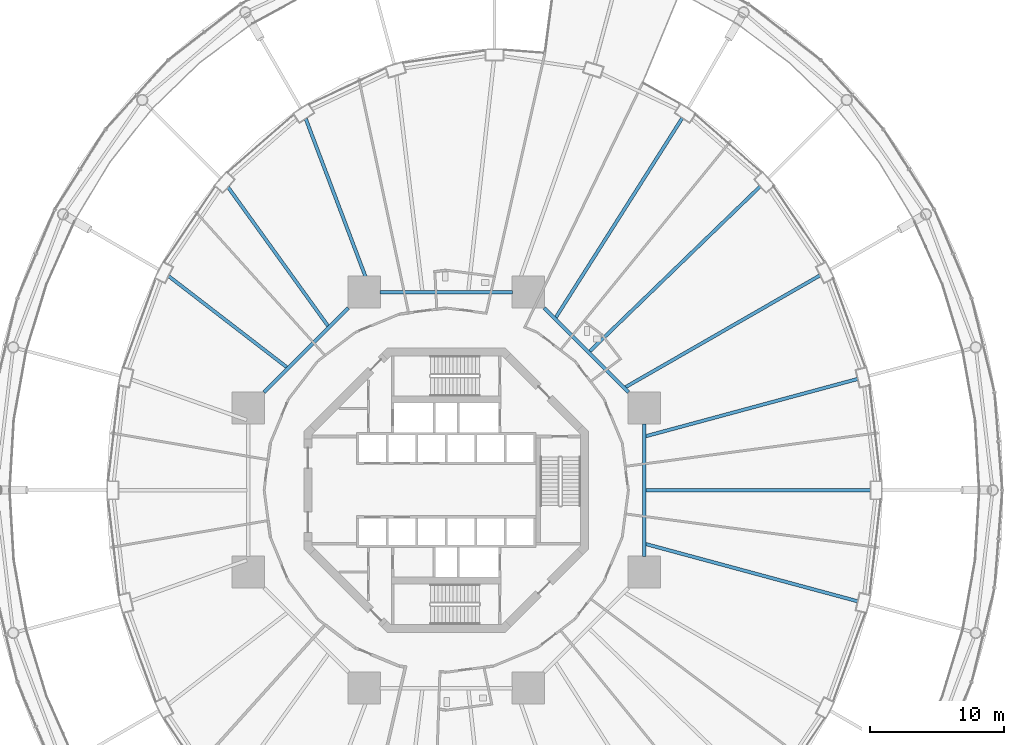
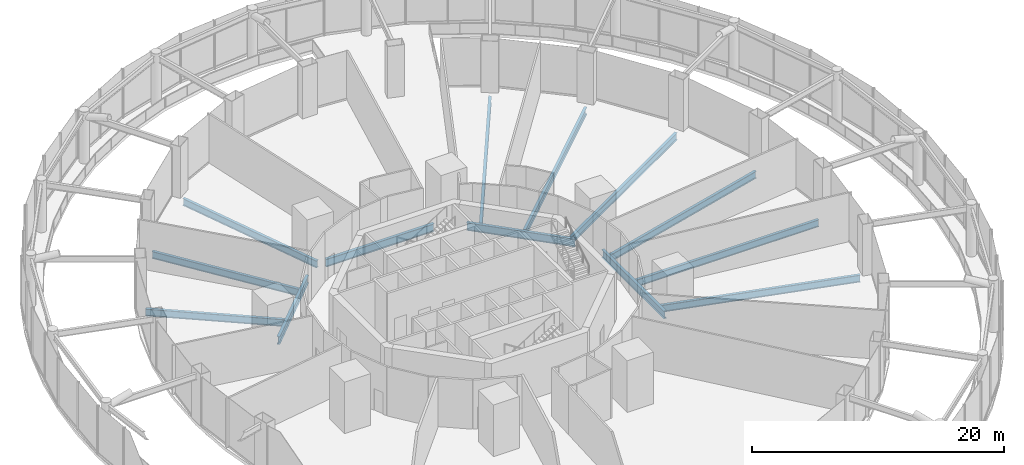
# One storey, part 24 of 52: 13 beams.
"""IFC4 building model written with IfcOpenShell, lengths in metres."""

from ifc_helpers import new_model, si_unit, direction, frame, origin, origin_2d, place, context, subcontext, project, spatial, i_section, extrude, material, material_profile, profile_set, type_object, element, save


model = new_model("IFC4")

# Units and contexts
model_context = context("Model", 3, precision=1e-05, world=origin(), true_north=direction((0.0, 1.0)))
body_context = subcontext(model_context, "Body", "Model", "MODEL_VIEW")
ifc_project = project(units=[si_unit("LENGTHUNIT", "METRE"), si_unit("AREAUNIT", "SQUARE_METRE"), si_unit("VOLUMEUNIT", "CUBIC_METRE"), si_unit("PLANEANGLEUNIT", "RADIAN"), si_unit("MASSUNIT", "GRAM", prefix="KILO")], contexts=[model_context])

# Site, building, storey
site_placement = place(None, origin())
site = spatial("IfcSite", under=ifc_project, at=site_placement, CompositionType="ELEMENT")
building_placement = place(site_placement, origin())
building = spatial("IfcBuilding", under=site, at=building_placement, Name="Nagisa Residences", CompositionType="ELEMENT")
storey_placement = place(building_placement, frame((0.0, 0.0, 22.0)))
storey = spatial("IfcBuildingStorey", under=building, at=storey_placement, Name="L04", CompositionType="ELEMENT", Elevation=22.0)

# Beams
ifc_material_1 = material(Name="Steel ASTM A572 Gr 50", Category="steel")
ifc_material_profile_1 = material_profile(ifc_material_1, i_section(OverallWidth=0.264892578125, OverallDepth=0.7529296875, WebThickness=0.01318359375, FlangeThickness=0.01708984375, at=origin_2d()), Name="W760x147")
ifc_profile_set_1 = profile_set([ifc_material_profile_1], Name="Steel ASTM A572 Gr 50")
beam_type_1 = type_object("IfcBeamType", Name="Inner ring beam W760x147", PredefinedType="BEAM", material=ifc_profile_set_1)
beam_1_placement = place(storey_placement, frame((13.59619140625, 7.308837890625, -0.676513671875), z_axis=(-0.707106781187, 0.707106781187, 0.0), x_axis=(-0.707106781187, -0.707106781187, 0.0)))
element("IfcBeam", 1, at=beam_1_placement, inside=storey, type_object=beam_type_1, Name="beam:L04:ib1", PredefinedType="BEAM", context=body_context, shape_type="SweptSolid", body=[
    extrude(i_section(OverallWidth=0.264892578125, OverallDepth=0.7529296875, WebThickness=0.01318359375, FlangeThickness=0.01708984375, at=origin_2d()), origin(), (0.0, 0.0, 1.0), 8.8916015625),
])
beam_2_placement = place(storey_placement, frame((4.94287109375, 14.781982421875, -0.676513671875), z_axis=(-1.0, 0.0, 0.0), x_axis=(0.0, -1.0, 0.0)))
element("IfcBeam", 2, at=beam_2_placement, inside=storey, type_object=beam_type_1, Name="beam:L04:ib2", PredefinedType="BEAM", context=body_context, shape_type="SweptSolid", body=[
    extrude(i_section(OverallWidth=0.264892578125, OverallDepth=0.7529296875, WebThickness=0.01318359375, FlangeThickness=0.01708984375, at=origin_2d()), origin(), (0.0, 0.0, 1.0), 9.8857421875),
])
beam_3_placement = place(storey_placement, frame((-7.308837890625, 13.59619140625, -0.676513671875), z_axis=(-0.707106781187, -0.707106781187, 0.0), x_axis=(0.707106781187, -0.707106781187, 0.0)))
element("IfcBeam", 3, at=beam_3_placement, inside=storey, type_object=beam_type_1, Name="beam:L04:ib3", PredefinedType="BEAM", context=body_context, shape_type="SweptSolid", body=[
    extrude(i_section(OverallWidth=0.264892578125, OverallDepth=0.7529296875, WebThickness=0.01318359375, FlangeThickness=0.01708984375, at=origin_2d()), origin(), (0.0, 0.0, 1.0), 8.8916015625),
])
beam_4_placement = place(storey_placement, frame((14.781982421875, -4.94287109375, -0.676513671875), z_axis=(0.0, 1.0, 0.0), x_axis=(-1.0, 0.0, 0.0)))
element("IfcBeam", 4, at=beam_4_placement, inside=storey, type_object=beam_type_1, Name="beam:L04:ib8", PredefinedType="BEAM", context=body_context, shape_type="SweptSolid", body=[
    extrude(i_section(OverallWidth=0.264892578125, OverallDepth=0.7529296875, WebThickness=0.01318359375, FlangeThickness=0.01708984375, at=origin_2d()), origin(), (0.0, 0.0, 1.0), 9.8857421875),
])
ifc_material_2 = material(Name="Steel ASTM A572 Gr 50", Category="steel")
ifc_material_profile_2 = material_profile(ifc_material_2, i_section(OverallWidth=0.25390625, OverallDepth=0.68408203125, WebThickness=0.012451171875, FlangeThickness=0.018798828125, at=origin_2d()), Name="W690x140")
ifc_profile_set_2 = profile_set([ifc_material_profile_2], Name="Steel ASTM A572 Gr 50")
beam_type_2 = type_object("IfcBeamType", Name="Radial beam W690x140", PredefinedType="BEAM", material=ifc_profile_set_2)
beam_5_placement = place(storey_placement, frame((31.669921875, 0.0, -0.64208984375), z_axis=(-1.0, 0.0, 0.0), x_axis=(0.0, -1.0, 0.0)))
element("IfcBeam", 5, at=beam_5_placement, inside=storey, type_object=beam_type_2, Name="beam:L04:rb01", PredefinedType="BEAM", context=body_context, shape_type="SweptSolid", body=[
    extrude(i_section(OverallWidth=0.25390625, OverallDepth=0.68408203125, WebThickness=0.012451171875, FlangeThickness=0.018798828125, at=origin_2d()), origin(), (0.0, 0.0, 1.0), 16.775390625),
])
beam_6_placement = place(storey_placement, frame((30.713623046875, 8.29931640625, -0.64208984375), z_axis=(-0.965375968847, -0.260862490162, 0.0), x_axis=(0.260862490162, -0.965375968847, 0.0)))
element("IfcBeam", 6, at=beam_6_placement, inside=storey, type_object=beam_type_2, Name="beam:L04:rb02", PredefinedType="BEAM", context=body_context, shape_type="SweptSolid", body=[
    extrude(i_section(OverallWidth=0.25390625, OverallDepth=0.68408203125, WebThickness=0.012451171875, FlangeThickness=0.018798828125, at=origin_2d()), origin(), (0.0, 0.0, 1.0), 16.3857421875),
])
beam_7_placement = place(storey_placement, frame((27.908447265625, 16.035400390625, -0.64208984375), z_axis=(-0.867068052258, -0.498189715623, 0.0), x_axis=(0.498189715623, -0.867068052258, 0.0)))
element("IfcBeam", 7, at=beam_7_placement, inside=storey, type_object=beam_type_2, Name="beam:L04:rb03", PredefinedType="BEAM", context=body_context, shape_type="SweptSolid", body=[
    extrude(i_section(OverallWidth=0.25390625, OverallDepth=0.68408203125, WebThickness=0.012451171875, FlangeThickness=0.018798828125, at=origin_2d()), origin(), (0.0, 0.0, 1.0), 16.758056640625),
])
beam_8_placement = place(storey_placement, frame((23.443115234375, 22.681640625, -0.64208984375), z_axis=(-0.718678305776, -0.695342716081, 0.0), x_axis=(0.695342716081, -0.718678305776, 0.0)))
element("IfcBeam", 8, at=beam_8_placement, inside=storey, type_object=beam_type_2, Name="beam:L04:rb04", PredefinedType="BEAM", context=body_context, shape_type="SweptSolid", body=[
    extrude(i_section(OverallWidth=0.25390625, OverallDepth=0.68408203125, WebThickness=0.012451171875, FlangeThickness=0.018798828125, at=origin_2d()), origin(), (0.0, 0.0, 1.0), 17.722900390625),
])
beam_9_placement = place(storey_placement, frame((17.61962890625, 27.78271484375, -0.64208984375), z_axis=(-0.53556610664, -0.844493306911, 0.0), x_axis=(0.844493306911, -0.53556610664, 0.0)))
element("IfcBeam", 9, at=beam_9_placement, inside=storey, type_object=beam_type_2, Name="beam:L04:rb05", PredefinedType="BEAM", context=body_context, shape_type="SweptSolid", body=[
    extrude(i_section(OverallWidth=0.25390625, OverallDepth=0.68408203125, WebThickness=0.012451171875, FlangeThickness=0.018798828125, at=origin_2d()), origin(), (0.0, 0.0, 1.0), 17.63525390625),
])
beam_10_placement = place(storey_placement, frame((-10.493896484375, 27.7333984375, -0.64208984375), z_axis=(0.353887892206, -0.935287848606, 0.0), x_axis=(0.935287848606, 0.353887892206, 0.0)))
element("IfcBeam", 10, at=beam_10_placement, inside=storey, type_object=beam_type_2, Name="beam:L04:rb09", PredefinedType="BEAM", context=body_context, shape_type="SweptSolid", body=[
    extrude(i_section(OverallWidth=0.25390625, OverallDepth=0.68408203125, WebThickness=0.012451171875, FlangeThickness=0.018798828125, at=origin_2d()), origin(), (0.0, 0.0, 1.0), 13.725830078125),
])
beam_11_placement = place(storey_placement, frame((-16.29443359375, 22.62255859375, -0.64208984375), z_axis=(0.58445507622, -0.811426068031, 0.0), x_axis=(0.811426068031, 0.58445507622, 0.0)))
element("IfcBeam", 11, at=beam_11_placement, inside=storey, type_object=beam_type_2, Name="beam:L04:rb10", PredefinedType="BEAM", context=body_context, shape_type="SweptSolid", body=[
    extrude(i_section(OverallWidth=0.25390625, OverallDepth=0.68408203125, WebThickness=0.012451171875, FlangeThickness=0.018798828125, at=origin_2d()), origin(), (0.0, 0.0, 1.0), 12.78955078125),
])
beam_12_placement = place(storey_placement, frame((-20.73486328125, 15.982666015625, -0.64208984375), z_axis=(0.792016146736, -0.610500141941, 0.0), x_axis=(0.610500141941, 0.792016146736, 0.0)))
element("IfcBeam", 12, at=beam_12_placement, inside=storey, type_object=beam_type_2, Name="beam:L04:rb11", PredefinedType="BEAM", context=body_context, shape_type="SweptSolid", body=[
    extrude(i_section(OverallWidth=0.25390625, OverallDepth=0.68408203125, WebThickness=0.012451171875, FlangeThickness=0.018798828125, at=origin_2d()), origin(), (0.0, 0.0, 1.0), 11.160888671875),
])
beam_13_placement = place(storey_placement, frame((30.713623046875, -8.29931640625, -0.64208984375), z_axis=(-0.965375968847, 0.260862490162, 0.0), x_axis=(-0.260862490162, -0.965375968847, 0.0)))
element("IfcBeam", 13, at=beam_13_placement, inside=storey, type_object=beam_type_2, Name="beam:L04:rb24", PredefinedType="BEAM", context=body_context, shape_type="SweptSolid", body=[
    extrude(i_section(OverallWidth=0.25390625, OverallDepth=0.68408203125, WebThickness=0.012451171875, FlangeThickness=0.018798828125, at=origin_2d()), origin(), (0.0, 0.0, 1.0), 16.3857421875),
])

save(model, "model.ifc")
